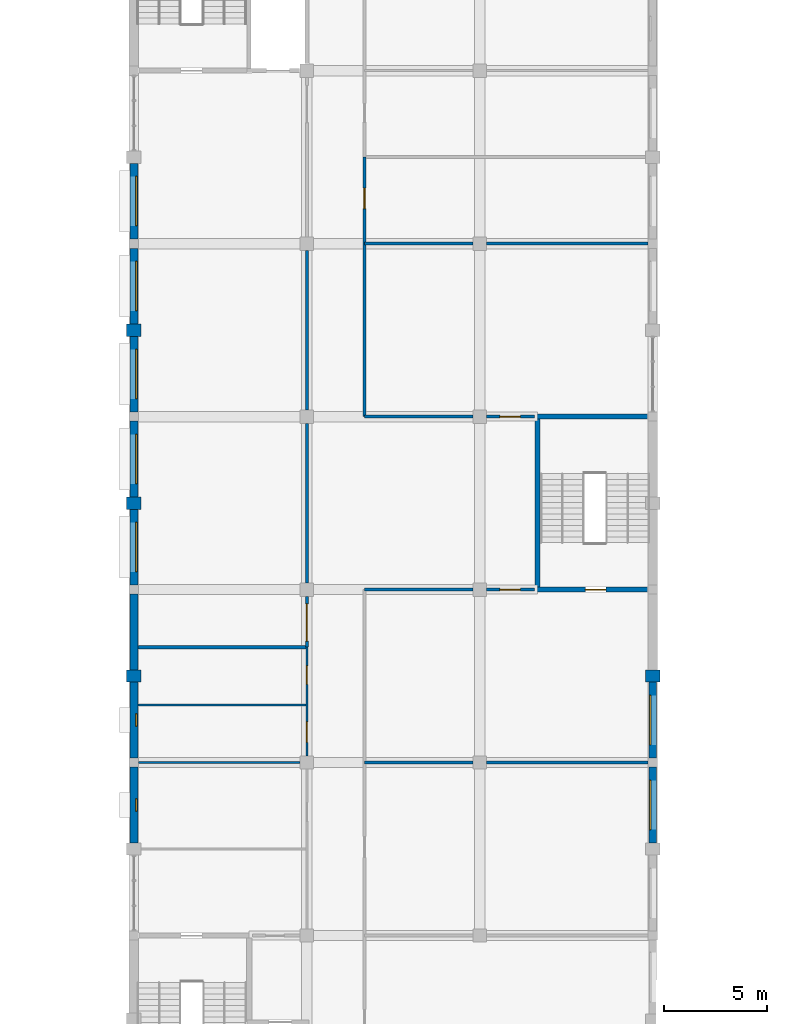
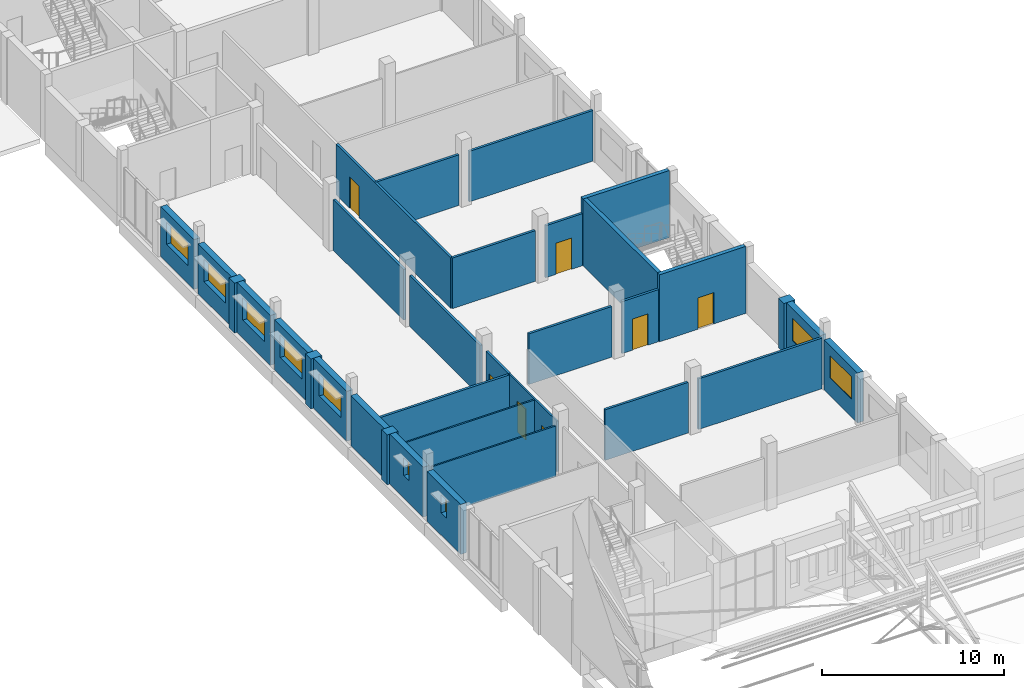
# One storey, part 77 of 101: 33 walls, 9 windows, 7 doors, 16 openings.
"""IFC4 building model written with IfcOpenShell, lengths in metres."""

from ifc_helpers import new_model, si_unit, direction, frame, frame_2d, origin, place, context, subcontext, project, spatial, rectangle, extrude, material, layer, layer_set, type_object, element, fill, save


model = new_model("IFC4")

# Units and contexts
model_context = context("Model", 3, precision=1e-05, world=origin(), true_north=direction((0.0, 1.0)))
body_context = subcontext(model_context, "Body", "Model", "MODEL_VIEW")
ifc_project = project(units=[si_unit("LENGTHUNIT", "METRE"), si_unit("AREAUNIT", "SQUARE_METRE"), si_unit("VOLUMEUNIT", "CUBIC_METRE"), si_unit("PLANEANGLEUNIT", "RADIAN"), si_unit("MASSUNIT", "GRAM", prefix="KILO")], contexts=[model_context])

# Site, building, storey
site_placement = place(None, origin())
site = spatial("IfcSite", under=ifc_project, at=site_placement, CompositionType="ELEMENT")
building_placement = place(site_placement, origin())
building = spatial("IfcBuilding", under=site, at=building_placement, Name="Fescue Hill Polytechnic", CompositionType="ELEMENT")
storey_placement = place(building_placement, frame((0.0, 0.0, 9.0)))
storey = spatial("IfcBuildingStorey", under=building, at=storey_placement, Name="L02", CompositionType="ELEMENT", Elevation=9.0)

# Wall, opening, door
ifc_material_1 = material(Name="Concrete 40 MPa", Category="concrete")
ifc_layer_1 = layer(ifc_material_1, 0.25)
ifc_layer_set_1 = layer_set([ifc_layer_1], Name="Concrete 40 MPa")
wall_type_1 = type_object("IfcWallType", Name="Core wall 250", PredefinedType="SHEAR", material=ifc_layer_set_1)
wall_1_placement = place(storey_placement, frame((19.47509765625, 75.60009765625, 0.0), z_axis=(0.0, 0.0, 1.0), x_axis=(1.0, 0.0, 0.0)))
wall_1 = element("IfcWall", 1, at=wall_1_placement, inside=storey, type_object=wall_type_1, Name="CW-L02-ST-V4-3-11", PredefinedType="SHEAR", context=body_context, shape_type="SweptSolid", body=[
    extrude(rectangle(XDim=5.474853515625, YDim=0.25, at=frame_2d((2.7373046875, 0.0))), origin(), (0.0, 0.0, 1.0), 4.5),
])
opening_1_placement = place(wall_1_placement, frame((2.449951171875, 0.0, 0.0)))
opening_1 = element("IfcOpeningElement", 2, at=opening_1_placement, cuts=wall_1, Name="Opening D2087", PredefinedType="OPENING", context=body_context, shape_type="SweptSolid", body=[
    extrude(rectangle(XDim=1.0, YDim=2.10009765625, at=frame_2d((0.5, 1.050048828125))), frame((0.0, 0.135009765625, 0.0), z_axis=(0.0, -1.0, 0.0), x_axis=(1.0, 0.0, 0.0)), (0.0, 0.0, 1.0), 0.27001953125),
])
ifc_material_2 = material(Name="Steel fire door", Category="steel")
door_type_1 = type_object("IfcDoorType", Name="Door single swing 1000x2100 stair fire rated", OperationType="NOTDEFINED", PredefinedType="DOOR", material=ifc_material_2)
door_1_placement = place(opening_1_placement, origin())
door_1 = element("IfcDoor", 3, at=door_1_placement, inside=storey, type_object=door_type_1, Name="L02 ST-V4-3 stair door", OperationType="SINGLE_SWING_LEFT", OverallHeight=2.10009765625, OverallWidth=1.0, PredefinedType="DOOR", context=body_context, shape_type="SweptSolid", body=[
    extrude(rectangle(XDim=1.0, YDim=2.10009765625, at=frame_2d((0.5, 1.050048828125))), frame((0.0, 0.02490234375, 0.0), z_axis=(0.0, -1.0, 0.0), x_axis=(1.0, 0.0, 0.0)), (0.0, 0.0, 1.0), 0.050048828125),
])
fill(opening_1, door_1)

# Walls
wall_2_placement = place(storey_placement, frame((19.47509765625, 84.0, 0.0), z_axis=(0.0, 0.0, 1.0), x_axis=(1.0, 0.0, 0.0)))
element("IfcWall", 4, at=wall_2_placement, inside=storey, type_object=wall_type_1, Name="CW-L02-ST-V4-3-21", PredefinedType="SHEAR", context=body_context, shape_type="SweptSolid", body=[
    extrude(rectangle(XDim=5.474853515625, YDim=0.25, at=frame_2d((2.7373046875, 0.0))), origin(), (0.0, 0.0, 1.0), 4.5),
])
wall_3_placement = place(storey_placement, frame((19.60009765625, 75.72509765625, 0.0), z_axis=(0.0, 0.0, 1.0), x_axis=(0.0, 1.0, 0.0)))
element("IfcWall", 5, at=wall_3_placement, inside=storey, type_object=wall_type_1, Name="CW-L02-ST-V4-3-31", PredefinedType="SHEAR", context=body_context, shape_type="SweptSolid", body=[
    extrude(rectangle(XDim=8.14990234375, YDim=0.25, at=frame_2d((4.074951171875, 0.0))), origin(), (0.0, 0.0, 1.0), 4.5),
])

# Wall, opening, window
ifc_material_3 = material(Name="Terracotta rainscreen on concrete block", Category="masonry")
ifc_layer_2 = layer(ifc_material_3, 0.3798828125)
ifc_layer_set_2 = layer_set([ifc_layer_2], Name="Terracotta rainscreen on concrete block")
wall_type_2 = type_object("IfcWallType", Name="Exterior wall rainscreen terracotta on blockwork 380", PredefinedType="SOLIDWALL", material=ifc_layer_set_2)
wall_4_placement = place(storey_placement, frame((25.199951171875, 63.300048828125, 0.0), z_axis=(0.0, 0.0, 1.0), x_axis=(0.0, 1.0, 0.0)))
wall_4 = element("IfcWall", 6, at=wall_4_placement, inside=storey, type_object=wall_type_2, Name="EW-L02-V4-4", PredefinedType="SOLIDWALL", context=body_context, shape_type="SweptSolid", body=[
    extrude(rectangle(XDim=3.675048828125, YDim=0.3798828125, at=frame_2d((1.83740234375, 0.0))), origin(), (0.0, 0.0, 1.0), 3.35009765625),
])
opening_2_placement = place(wall_4_placement, frame((0.637451171875, 0.0, 1.199951171875)))
opening_2 = element("IfcOpeningElement", 7, at=opening_2_placement, cuts=wall_4, Name="Opening W3", PredefinedType="OPENING", context=body_context, shape_type="SweptSolid", body=[
    extrude(rectangle(XDim=2.39990234375, YDim=1.5, at=frame_2d((1.199951171875, 0.75))), frame((0.0, 0.199951171875, 0.0), z_axis=(0.0, -1.0, 0.0), x_axis=(1.0, 0.0, 0.0)), (0.0, 0.0, 1.0), 0.39990234375),
])
ifc_material_4 = material(Name="Powder-coated aluminium and glass", Category="aluminium")
window_type_1 = type_object("IfcWindowType", Name="Window laboratory strip 2400x1500", PartitioningType="TRIPLE_PANEL_VERTICAL", PredefinedType="WINDOW", material=ifc_material_4)
window_1_placement = place(opening_2_placement, origin())
window_1 = element("IfcWindow", 8, at=window_1_placement, inside=storey, type_object=window_type_1, Name="WN-L02-V4-4", OverallHeight=1.5, OverallWidth=2.39990234375, PartitioningType="SINGLE_PANEL", PredefinedType="WINDOW", context=body_context, shape_type="SweptSolid", body=[
    extrude(rectangle(XDim=2.39990234375, YDim=1.5, at=frame_2d((1.199951171875, 0.75))), frame((0.0, 0.150146484375, 0.0), z_axis=(0.0, -1.0, 0.0), x_axis=(1.0, 0.0, 0.0)), (0.0, 0.0, 1.0), 0.06005859375),
])
fill(opening_2, window_1)

wall_5_placement = place(storey_placement, frame((25.199951171875, 67.425048828125, 0.0), z_axis=(0.0, 0.0, 1.0), x_axis=(0.0, 1.0, 0.0)))
wall_5 = element("IfcWall", 9, at=wall_5_placement, inside=storey, type_object=wall_type_2, Name="EW-L02-V4-5", PredefinedType="SOLIDWALL", context=body_context, shape_type="SweptSolid", body=[
    extrude(rectangle(XDim=3.675048828125, YDim=0.3798828125, at=frame_2d((1.83740234375, 0.0))), origin(), (0.0, 0.0, 1.0), 3.35009765625),
])
opening_3_placement = place(wall_5_placement, frame((0.637451171875, 0.0, 1.199951171875)))
opening_3 = element("IfcOpeningElement", 10, at=opening_3_placement, cuts=wall_5, Name="Opening W3", PredefinedType="OPENING", context=body_context, shape_type="SweptSolid", body=[
    extrude(rectangle(XDim=2.39990234375, YDim=1.5, at=frame_2d((1.199951171875, 0.75))), frame((0.0, 0.199951171875, 0.0), z_axis=(0.0, -1.0, 0.0), x_axis=(1.0, 0.0, 0.0)), (0.0, 0.0, 1.0), 0.39990234375),
])
window_2_placement = place(opening_3_placement, origin())
window_2 = element("IfcWindow", 11, at=window_2_placement, inside=storey, type_object=window_type_1, Name="WN-L02-V4-5", OverallHeight=1.5, OverallWidth=2.39990234375, PartitioningType="SINGLE_PANEL", PredefinedType="WINDOW", context=body_context, shape_type="SweptSolid", body=[
    extrude(rectangle(XDim=2.39990234375, YDim=1.5, at=frame_2d((1.199951171875, 0.75))), frame((0.0, 0.150146484375, 0.0), z_axis=(0.0, -1.0, 0.0), x_axis=(1.0, 0.0, 0.0)), (0.0, 0.0, 1.0), 0.06005859375),
])
fill(opening_3, window_2)

wall_6_placement = place(storey_placement, frame((0.0, 96.300048828125, 0.0), z_axis=(0.0, 0.0, 1.0), x_axis=(0.0, -1.0, 0.0)))
wall_6 = element("IfcWall", 12, at=wall_6_placement, inside=storey, type_object=wall_type_2, Name="EW-L02-V4-18", PredefinedType="SOLIDWALL", context=body_context, shape_type="SweptSolid", body=[
    extrude(rectangle(XDim=3.675048828125, YDim=0.3798828125, at=frame_2d((1.83740234375, 0.0))), origin(), (0.0, 0.0, 1.0), 3.35009765625),
])
opening_4_placement = place(wall_6_placement, frame((0.637451171875, 0.0, 1.199951171875)))
opening_4 = element("IfcOpeningElement", 13, at=opening_4_placement, cuts=wall_6, Name="Opening W3", PredefinedType="OPENING", context=body_context, shape_type="SweptSolid", body=[
    extrude(rectangle(XDim=2.39990234375, YDim=1.5, at=frame_2d((1.199951171875, 0.75))), frame((0.0, 0.199951171875, 0.0), z_axis=(0.0, -1.0, 0.0), x_axis=(1.0, 0.0, 0.0)), (0.0, 0.0, 1.0), 0.39990234375),
])
window_3_placement = place(opening_4_placement, origin())
window_3 = element("IfcWindow", 14, at=window_3_placement, inside=storey, type_object=window_type_1, Name="WN-L02-V4-11", OverallHeight=1.5, OverallWidth=2.39990234375, PartitioningType="SINGLE_PANEL", PredefinedType="WINDOW", context=body_context, shape_type="SweptSolid", body=[
    extrude(rectangle(XDim=2.39990234375, YDim=1.5, at=frame_2d((1.199951171875, 0.75))), frame((0.0, 0.150146484375, 0.0), z_axis=(0.0, -1.0, 0.0), x_axis=(1.0, 0.0, 0.0)), (0.0, 0.0, 1.0), 0.06005859375),
])
fill(opening_4, window_3)

wall_7_placement = place(storey_placement, frame((0.0, 92.175048828125, 0.0), z_axis=(0.0, 0.0, 1.0), x_axis=(0.0, -1.0, 0.0)))
wall_7 = element("IfcWall", 15, at=wall_7_placement, inside=storey, type_object=wall_type_2, Name="EW-L02-V4-19", PredefinedType="SOLIDWALL", context=body_context, shape_type="SweptSolid", body=[
    extrude(rectangle(XDim=3.675048828125, YDim=0.3798828125, at=frame_2d((1.83740234375, 0.0))), origin(), (0.0, 0.0, 1.0), 3.35009765625),
])
opening_5_placement = place(wall_7_placement, frame((0.637451171875, 0.0, 1.199951171875)))
opening_5 = element("IfcOpeningElement", 16, at=opening_5_placement, cuts=wall_7, Name="Opening W3", PredefinedType="OPENING", context=body_context, shape_type="SweptSolid", body=[
    extrude(rectangle(XDim=2.39990234375, YDim=1.5, at=frame_2d((1.199951171875, 0.75))), frame((0.0, 0.199951171875, 0.0), z_axis=(0.0, -1.0, 0.0), x_axis=(1.0, 0.0, 0.0)), (0.0, 0.0, 1.0), 0.39990234375),
])
window_4_placement = place(opening_5_placement, origin())
window_4 = element("IfcWindow", 17, at=window_4_placement, inside=storey, type_object=window_type_1, Name="WN-L02-V4-12", OverallHeight=1.5, OverallWidth=2.39990234375, PartitioningType="SINGLE_PANEL", PredefinedType="WINDOW", context=body_context, shape_type="SweptSolid", body=[
    extrude(rectangle(XDim=2.39990234375, YDim=1.5, at=frame_2d((1.199951171875, 0.75))), frame((0.0, 0.150146484375, 0.0), z_axis=(0.0, -1.0, 0.0), x_axis=(1.0, 0.0, 0.0)), (0.0, 0.0, 1.0), 0.06005859375),
])
fill(opening_5, window_4)

wall_8_placement = place(storey_placement, frame((0.0, 87.89990234375, 0.0), z_axis=(0.0, 0.0, 1.0), x_axis=(0.0, -1.0, 0.0)))
wall_8 = element("IfcWall", 18, at=wall_8_placement, inside=storey, type_object=wall_type_2, Name="EW-L02-V4-20", PredefinedType="SOLIDWALL", context=body_context, shape_type="SweptSolid", body=[
    extrude(rectangle(XDim=3.6748046875, YDim=0.3798828125, at=frame_2d((1.83740234375, 0.0))), origin(), (0.0, 0.0, 1.0), 3.35009765625),
])
opening_6_placement = place(wall_8_placement, frame((0.637451171875, 0.0, 1.199951171875)))
opening_6 = element("IfcOpeningElement", 19, at=opening_6_placement, cuts=wall_8, Name="Opening W3", PredefinedType="OPENING", context=body_context, shape_type="SweptSolid", body=[
    extrude(rectangle(XDim=2.39990234375, YDim=1.5, at=frame_2d((1.199951171875, 0.75))), frame((0.0, 0.199951171875, 0.0), z_axis=(0.0, -1.0, 0.0), x_axis=(1.0, 0.0, 0.0)), (0.0, 0.0, 1.0), 0.39990234375),
])
window_5_placement = place(opening_6_placement, origin())
window_5 = element("IfcWindow", 20, at=window_5_placement, inside=storey, type_object=window_type_1, Name="WN-L02-V4-13", OverallHeight=1.5, OverallWidth=2.39990234375, PartitioningType="SINGLE_PANEL", PredefinedType="WINDOW", context=body_context, shape_type="SweptSolid", body=[
    extrude(rectangle(XDim=2.39990234375, YDim=1.5, at=frame_2d((1.199951171875, 0.75))), frame((0.0, 0.150146484375, 0.0), z_axis=(0.0, -1.0, 0.0), x_axis=(1.0, 0.0, 0.0)), (0.0, 0.0, 1.0), 0.06005859375),
])
fill(opening_6, window_5)

wall_9_placement = place(storey_placement, frame((0.0, 83.77490234375, 0.0), z_axis=(0.0, 0.0, 1.0), x_axis=(0.0, -1.0, 0.0)))
wall_9 = element("IfcWall", 21, at=wall_9_placement, inside=storey, type_object=wall_type_2, Name="EW-L02-V4-21", PredefinedType="SOLIDWALL", context=body_context, shape_type="SweptSolid", body=[
    extrude(rectangle(XDim=3.6748046875, YDim=0.3798828125, at=frame_2d((1.83740234375, 0.0))), origin(), (0.0, 0.0, 1.0), 3.35009765625),
])
opening_7_placement = place(wall_9_placement, frame((0.637451171875, 0.0, 1.199951171875)))
opening_7 = element("IfcOpeningElement", 22, at=opening_7_placement, cuts=wall_9, Name="Opening W3", PredefinedType="OPENING", context=body_context, shape_type="SweptSolid", body=[
    extrude(rectangle(XDim=2.39990234375, YDim=1.5, at=frame_2d((1.199951171875, 0.75))), frame((0.0, 0.199951171875, 0.0), z_axis=(0.0, -1.0, 0.0), x_axis=(1.0, 0.0, 0.0)), (0.0, 0.0, 1.0), 0.39990234375),
])
window_6_placement = place(opening_7_placement, origin())
window_6 = element("IfcWindow", 23, at=window_6_placement, inside=storey, type_object=window_type_1, Name="WN-L02-V4-14", OverallHeight=1.5, OverallWidth=2.39990234375, PartitioningType="SINGLE_PANEL", PredefinedType="WINDOW", context=body_context, shape_type="SweptSolid", body=[
    extrude(rectangle(XDim=2.39990234375, YDim=1.5, at=frame_2d((1.199951171875, 0.75))), frame((0.0, 0.150146484375, 0.0), z_axis=(0.0, -1.0, 0.0), x_axis=(1.0, 0.0, 0.0)), (0.0, 0.0, 1.0), 0.06005859375),
])
fill(opening_7, window_6)

wall_10_placement = place(storey_placement, frame((0.0, 79.5, 0.0), z_axis=(0.0, 0.0, 1.0), x_axis=(0.0, -1.0, 0.0)))
wall_10 = element("IfcWall", 24, at=wall_10_placement, inside=storey, type_object=wall_type_2, Name="EW-L02-V4-22", PredefinedType="SOLIDWALL", context=body_context, shape_type="SweptSolid", body=[
    extrude(rectangle(XDim=3.675048828125, YDim=0.3798828125, at=frame_2d((1.83740234375, 0.0))), origin(), (0.0, 0.0, 1.0), 3.35009765625),
])
opening_8_placement = place(wall_10_placement, frame((0.637451171875, 0.0, 1.199951171875)))
opening_8 = element("IfcOpeningElement", 25, at=opening_8_placement, cuts=wall_10, Name="Opening W3", PredefinedType="OPENING", context=body_context, shape_type="SweptSolid", body=[
    extrude(rectangle(XDim=2.39990234375, YDim=1.5, at=frame_2d((1.199951171875, 0.75))), frame((0.0, 0.199951171875, 0.0), z_axis=(0.0, -1.0, 0.0), x_axis=(1.0, 0.0, 0.0)), (0.0, 0.0, 1.0), 0.39990234375),
])
window_7_placement = place(opening_8_placement, origin())
window_7 = element("IfcWindow", 26, at=window_7_placement, inside=storey, type_object=window_type_1, Name="WN-L02-V4-15", OverallHeight=1.5, OverallWidth=2.39990234375, PartitioningType="SINGLE_PANEL", PredefinedType="WINDOW", context=body_context, shape_type="SweptSolid", body=[
    extrude(rectangle(XDim=2.39990234375, YDim=1.5, at=frame_2d((1.199951171875, 0.75))), frame((0.0, 0.150146484375, 0.0), z_axis=(0.0, -1.0, 0.0), x_axis=(1.0, 0.0, 0.0)), (0.0, 0.0, 1.0), 0.06005859375),
])
fill(opening_8, window_7)

# Wall
wall_11_placement = place(storey_placement, frame((0.0, 75.375, 0.0), z_axis=(0.0, 0.0, 1.0), x_axis=(0.0, -1.0, 0.0)))
element("IfcWall", 27, at=wall_11_placement, inside=storey, type_object=wall_type_2, Name="EW-L02-V4-23", PredefinedType="SOLIDWALL", context=body_context, shape_type="SweptSolid", body=[
    extrude(rectangle(XDim=3.675048828125, YDim=0.3798828125, at=frame_2d((1.83740234375, 0.0))), origin(), (0.0, 0.0, 1.0), 3.35009765625),
])

# Wall, opening, window
wall_12_placement = place(storey_placement, frame((0.0, 71.10009765625, 0.0), z_axis=(0.0, 0.0, 1.0), x_axis=(0.0, -1.0, 0.0)))
wall_12 = element("IfcWall", 28, at=wall_12_placement, inside=storey, type_object=wall_type_2, Name="EW-L02-V4-24", PredefinedType="SOLIDWALL", context=body_context, shape_type="SweptSolid", body=[
    extrude(rectangle(XDim=3.675048828125, YDim=0.3798828125, at=frame_2d((1.83740234375, 0.0))), origin(), (0.0, 0.0, 1.0), 3.35009765625),
])
opening_9_placement = place(wall_12_placement, frame((1.53759765625, 0.0, 1.5)))
opening_9 = element("IfcOpeningElement", 29, at=opening_9_placement, cuts=wall_12, Name="Opening W11", PredefinedType="OPENING", context=body_context, shape_type="SweptSolid", body=[
    extrude(rectangle(XDim=0.60009765625, YDim=1.199951171875, at=frame_2d((0.300048828125, 0.60009765625))), frame((0.0, 0.199951171875, 0.0), z_axis=(0.0, -1.0, 0.0), x_axis=(1.0, 0.0, 0.0)), (0.0, 0.0, 1.0), 0.39990234375),
])
window_type_2 = type_object("IfcWindowType", Name="Window WC high-level 600x1200", PartitioningType="SINGLE_PANEL", PredefinedType="WINDOW", material=ifc_material_4)
window_8_placement = place(opening_9_placement, origin())
window_8 = element("IfcWindow", 30, at=window_8_placement, inside=storey, type_object=window_type_2, Name="WN-L02-V4-16", OverallHeight=1.199951171875, OverallWidth=0.60009765625, PartitioningType="SINGLE_PANEL", PredefinedType="WINDOW", context=body_context, shape_type="SweptSolid", body=[
    extrude(rectangle(XDim=0.60009765625, YDim=1.199951171875, at=frame_2d((0.300048828125, 0.60009765625))), frame((0.0, 0.150146484375, 0.0), z_axis=(0.0, -1.0, 0.0), x_axis=(1.0, 0.0, 0.0)), (0.0, 0.0, 1.0), 0.06005859375),
])
fill(opening_9, window_8)

wall_13_placement = place(storey_placement, frame((0.0, 66.97509765625, 0.0), z_axis=(0.0, 0.0, 1.0), x_axis=(0.0, -1.0, 0.0)))
wall_13 = element("IfcWall", 31, at=wall_13_placement, inside=storey, type_object=wall_type_2, Name="EW-L02-V4-25", PredefinedType="SOLIDWALL", context=body_context, shape_type="SweptSolid", body=[
    extrude(rectangle(XDim=3.675048828125, YDim=0.3798828125, at=frame_2d((1.83740234375, 0.0))), origin(), (0.0, 0.0, 1.0), 3.35009765625),
])
opening_10_placement = place(wall_13_placement, frame((1.53759765625, 0.0, 1.5)))
opening_10 = element("IfcOpeningElement", 32, at=opening_10_placement, cuts=wall_13, Name="Opening W11", PredefinedType="OPENING", context=body_context, shape_type="SweptSolid", body=[
    extrude(rectangle(XDim=0.60009765625, YDim=1.199951171875, at=frame_2d((0.300048828125, 0.60009765625))), frame((0.0, 0.199951171875, 0.0), z_axis=(0.0, -1.0, 0.0), x_axis=(1.0, 0.0, 0.0)), (0.0, 0.0, 1.0), 0.39990234375),
])
window_9_placement = place(opening_10_placement, origin())
window_9 = element("IfcWindow", 33, at=window_9_placement, inside=storey, type_object=window_type_2, Name="WN-L02-V4-17", OverallHeight=1.199951171875, OverallWidth=0.60009765625, PartitioningType="SINGLE_PANEL", PredefinedType="WINDOW", context=body_context, shape_type="SweptSolid", body=[
    extrude(rectangle(XDim=0.60009765625, YDim=1.199951171875, at=frame_2d((0.300048828125, 0.60009765625))), frame((0.0, 0.150146484375, 0.0), z_axis=(0.0, -1.0, 0.0), x_axis=(1.0, 0.0, 0.0)), (0.0, 0.0, 1.0), 0.06005859375),
])
fill(opening_10, window_9)

# Walls
ifc_layer_3 = layer(ifc_material_1, 0.699951171875)
ifc_layer_set_3 = layer_set([ifc_layer_3], Name="Concrete 40 MPa")
wall_type_3 = type_object("IfcWallType", Name="Fin wall board-marked 600x700", PredefinedType="SOLIDWALL", material=ifc_layer_set_3)
wall_14_placement = place(storey_placement, frame((25.199951171875, 71.10009765625, 0.0), z_axis=(0.0, 0.0, 1.0), x_axis=(0.0, 1.0, 0.0)))
element("IfcWall", 34, at=wall_14_placement, inside=storey, type_object=wall_type_3, Name="PR-L02-V4-3", PredefinedType="SOLIDWALL", context=body_context, shape_type="SweptSolid", body=[
    extrude(rectangle(XDim=0.599853515625, YDim=0.699951171875, at=frame_2d((0.2998046875, 0.0))), origin(), (0.0, 0.0, 1.0), 3.35009765625),
])
for number, where, z_axis, x_axis, name in (
    (35, (0.0, 88.5, 0.0), (0.0, 0.0, 1.0), (0.0, -1.0, 0.0), "PR-L02-V4-10"),
    (36, (0.0, 80.10009765625, 0.0), (0.0, 0.0, 1.0), (0.0, -1.0, 0.0), "PR-L02-V4-11"),
):
    element("IfcWall", number, at=place(storey_placement, frame(where, z_axis=z_axis, x_axis=x_axis)), inside=storey, type_object=wall_type_3, Name=name, PredefinedType="SOLIDWALL", context=body_context, shape_type="SweptSolid", body=[
        extrude(rectangle(XDim=0.60009765625, YDim=0.699951171875, at=frame_2d((0.300048828125, 0.0))), origin(), (0.0, 0.0, 1.0), 3.35009765625),
    ])
wall_15_placement = place(storey_placement, frame((0.0, 71.699951171875, 0.0), z_axis=(0.0, 0.0, 1.0), x_axis=(0.0, -1.0, 0.0)))
element("IfcWall", 37, at=wall_15_placement, inside=storey, type_object=wall_type_3, Name="PR-L02-V4-12", PredefinedType="SOLIDWALL", context=body_context, shape_type="SweptSolid", body=[
    extrude(rectangle(XDim=0.599853515625, YDim=0.699951171875, at=frame_2d((0.2998046875, 0.0))), origin(), (0.0, 0.0, 1.0), 3.35009765625),
])
ifc_material_5 = material(Name="Concrete masonry block 15 MPa", Category="masonry")
ifc_layer_4 = layer(ifc_material_5, 0.14990234375)
ifc_layer_set_4 = layer_set([ifc_layer_4], Name="Concrete masonry block 15 MPa")
wall_type_4 = type_object("IfcWallType", Name="Laboratory wall 150 block EI 60", PredefinedType="PARTITIONING", material=ifc_layer_set_4)
wall_16_placement = place(storey_placement, frame((11.199951171875, 67.199951171875, 0.0), z_axis=(0.0, 0.0, 1.0), x_axis=(1.0, 0.0, 0.0)))
element("IfcWall", 38, at=wall_16_placement, inside=storey, type_object=wall_type_4, Name="IW-L02-033", PredefinedType="PARTITIONING", context=body_context, shape_type="SweptSolid", body=[
    extrude(rectangle(XDim=5.275146484375, YDim=0.14990234375, at=frame_2d((2.6376953125, 0.0))), origin(), (0.0, 0.0, 1.0), 3.39990234375),
])
wall_17_placement = place(storey_placement, frame((17.125, 67.199951171875, 0.0), z_axis=(0.0, 0.0, 1.0), x_axis=(1.0, 0.0, 0.0)))
element("IfcWall", 39, at=wall_17_placement, inside=storey, type_object=wall_type_4, Name="IW-L02-034", PredefinedType="PARTITIONING", context=body_context, shape_type="SweptSolid", body=[
    extrude(rectangle(XDim=7.85009765625, YDim=0.14990234375, at=frame_2d((3.925048828125, 0.0))), origin(), (0.0, 0.0, 1.0), 3.39990234375),
])
wall_18_placement = place(storey_placement, frame((0.18994140625, 72.800048828125, 0.0), z_axis=(0.0, 0.0, 1.0), x_axis=(1.0, 0.0, 0.0)))
element("IfcWall", 40, at=wall_18_placement, inside=storey, type_object=wall_type_4, Name="IW-L02-037", PredefinedType="PARTITIONING", context=body_context, shape_type="SweptSolid", body=[
    extrude(rectangle(XDim=8.2099609375, YDim=0.14990234375, at=frame_2d((4.10498046875, 0.0))), origin(), (0.0, 0.0, 1.0), 3.35009765625),
])
wall_19_placement = place(storey_placement, frame((11.199951171875, 92.39990234375, 0.0), z_axis=(0.0, 0.0, 1.0), x_axis=(1.0, 0.0, 0.0)))
element("IfcWall", 41, at=wall_19_placement, inside=storey, type_object=wall_type_4, Name="IW-L02-042", PredefinedType="PARTITIONING", context=body_context, shape_type="SweptSolid", body=[
    extrude(rectangle(XDim=5.275146484375, YDim=0.14990234375, at=frame_2d((2.6376953125, 0.0))), origin(), (0.0, 0.0, 1.0), 3.39990234375),
])
wall_20_placement = place(storey_placement, frame((17.125, 92.39990234375, 0.0), z_axis=(0.0, 0.0, 1.0), x_axis=(1.0, 0.0, 0.0)))
element("IfcWall", 42, at=wall_20_placement, inside=storey, type_object=wall_type_4, Name="IW-L02-043", PredefinedType="PARTITIONING", context=body_context, shape_type="SweptSolid", body=[
    extrude(rectangle(XDim=7.85009765625, YDim=0.14990234375, at=frame_2d((3.925048828125, 0.0))), origin(), (0.0, 0.0, 1.0), 3.39990234375),
])

# Wall, opening, door
wall_21_placement = place(storey_placement, frame((8.39990234375, 72.800048828125, 0.0), z_axis=(0.0, 0.0, 1.0), x_axis=(0.0, 1.0, 0.0)))
wall_21 = element("IfcWall", 43, at=wall_21_placement, inside=storey, type_object=wall_type_4, Name="IW-L02-076", PredefinedType="PARTITIONING", context=body_context, shape_type="SweptSolid", body=[
    extrude(rectangle(XDim=2.474853515625, YDim=0.14990234375, at=frame_2d((1.2373046875, 0.0))), origin(), (0.0, 0.0, 1.0), 3.39990234375),
])
opening_11_placement = place(wall_21_placement, frame((0.300048828125, 0.0, 0.0)))
opening_11 = element("IfcOpeningElement", 44, at=opening_11_placement, cuts=wall_21, Name="Opening D2040", PredefinedType="OPENING", context=body_context, shape_type="SweptSolid", body=[
    extrude(rectangle(XDim=1.800048828125, YDim=2.10009765625, at=frame_2d((0.89990234375, 1.050048828125))), frame((0.0, 0.0849609375, 0.0), z_axis=(0.0, -1.0, 0.0), x_axis=(1.0, 0.0, 0.0)), (0.0, 0.0, 1.0), 0.169921875),
])
ifc_material_6 = material(Name="Steel", Category="steel")
door_type_2 = type_object("IfcDoorType", Name="Door double swing 1800x2100 FD60", OperationType="DOUBLE_DOOR_SINGLE_SWING", PredefinedType="DOOR", material=ifc_material_6)
door_2_placement = place(opening_11_placement, origin())
door_2 = element("IfcDoor", 45, at=door_2_placement, inside=storey, type_object=door_type_2, Name="Door D2040", OperationType="DOUBLE_DOOR_SINGLE_SWING", OverallHeight=2.10009765625, OverallWidth=1.800048828125, PredefinedType="DOOR", context=body_context, shape_type="SweptSolid", body=[
    extrude(rectangle(XDim=1.800048828125, YDim=2.10009765625, at=frame_2d((0.89990234375, 1.050048828125))), frame((0.0, 0.02490234375, 0.0), z_axis=(0.0, -1.0, 0.0), x_axis=(1.0, 0.0, 0.0)), (0.0, 0.0, 1.0), 0.050048828125),
])
fill(opening_11, door_2)

# Walls
for number, where, z_axis, x_axis, name in (
    (46, (8.39990234375, 75.925048828125, 0.0), (0.0, 0.0, 1.0), (0.0, 1.0, 0.0), "IW-L02-077"),
    (47, (8.39990234375, 84.324951171875, 0.0), (0.0, 0.0, 1.0), (0.0, 1.0, 0.0), "IW-L02-078"),
):
    element("IfcWall", number, at=place(storey_placement, frame(where, z_axis=z_axis, x_axis=x_axis)), inside=storey, type_object=wall_type_4, Name=name, PredefinedType="PARTITIONING", context=body_context, shape_type="SweptSolid", body=[
        extrude(rectangle(XDim=7.75, YDim=0.14990234375, at=frame_2d((3.875, 0.0))), origin(), (0.0, 0.0, 1.0), 3.39990234375),
    ])

# Wall, opening, door
wall_22_placement = place(storey_placement, frame((11.199951171875, 84.0, 0.0), z_axis=(0.0, 0.0, 1.0), x_axis=(0.0, 1.0, 0.0)))
wall_22 = element("IfcWall", 48, at=wall_22_placement, inside=storey, type_object=wall_type_4, Name="IW-L02-087", PredefinedType="PARTITIONING", context=body_context, shape_type="SweptSolid", body=[
    extrude(rectangle(XDim=12.60009765625, YDim=0.14990234375, at=frame_2d((6.300048828125, 0.0))), origin(), (0.0, 0.0, 1.0), 3.39990234375),
])
opening_12_placement = place(wall_22_placement, frame((10.10009765625, 0.0, 0.0)))
opening_12 = element("IfcOpeningElement", 49, at=opening_12_placement, cuts=wall_22, Name="Opening D2046", PredefinedType="OPENING", context=body_context, shape_type="SweptSolid", body=[
    extrude(rectangle(XDim=1.0, YDim=2.10009765625, at=frame_2d((0.5, 1.050048828125))), frame((0.0, 0.0849609375, 0.0), z_axis=(0.0, -1.0, 0.0), x_axis=(1.0, 0.0, 0.0)), (0.0, 0.0, 1.0), 0.169921875),
])
door_type_3 = type_object("IfcDoorType", Name="Door single swing 1000x2100 FD60", OperationType="SINGLE_SWING_LEFT", PredefinedType="DOOR", material=ifc_material_6)
door_3_placement = place(opening_12_placement, origin())
door_3 = element("IfcDoor", 50, at=door_3_placement, inside=storey, type_object=door_type_3, Name="Door D2046", OperationType="SINGLE_SWING_RIGHT", OverallHeight=2.10009765625, OverallWidth=1.0, PredefinedType="DOOR", context=body_context, shape_type="SweptSolid", body=[
    extrude(rectangle(XDim=1.0, YDim=2.10009765625, at=frame_2d((0.5, 1.050048828125))), frame((0.0, 0.02490234375, 0.0), z_axis=(0.0, -1.0, 0.0), x_axis=(1.0, 0.0, 0.0)), (0.0, 0.0, 1.0), 0.050048828125),
])
fill(opening_12, door_3)

# Wall
ifc_material_7 = material(Name="Gypsum board partition")
ifc_layer_5 = layer(ifc_material_7, 0.14990234375)
ifc_layer_set_5 = layer_set([ifc_layer_5], Name="Gypsum board partition")
wall_type_5 = type_object("IfcWallType", Name="Lobby wall 150 EI 60", PredefinedType="PARTITIONING", material=ifc_layer_set_5)
wall_23_placement = place(storey_placement, frame((11.199951171875, 75.60009765625, 0.0), z_axis=(0.0, 0.0, 1.0), x_axis=(1.0, 0.0, 0.0)))
element("IfcWall", 51, at=wall_23_placement, inside=storey, type_object=wall_type_5, Name="IW-L02-038", PredefinedType="PARTITIONING", context=body_context, shape_type="SweptSolid", body=[
    extrude(rectangle(XDim=5.275146484375, YDim=0.14990234375, at=frame_2d((2.6376953125, 0.0))), origin(), (0.0, 0.0, 1.0), 3.39990234375),
])

# Wall, opening, door
wall_24_placement = place(storey_placement, frame((17.125, 75.60009765625, 0.0), z_axis=(0.0, 0.0, 1.0), x_axis=(1.0, 0.0, 0.0)))
wall_24 = element("IfcWall", 52, at=wall_24_placement, inside=storey, type_object=wall_type_5, Name="IW-L02-039", PredefinedType="PARTITIONING", context=body_context, shape_type="SweptSolid", body=[
    extrude(rectangle(XDim=2.324951171875, YDim=0.14990234375, at=frame_2d((1.16259765625, 0.0))), origin(), (0.0, 0.0, 1.0), 3.5),
])
opening_13_placement = place(wall_24_placement, frame((0.64990234375, 0.0, 0.0)))
opening_13 = element("IfcOpeningElement", 53, at=opening_13_placement, cuts=wall_24, Name="Opening D2044", PredefinedType="OPENING", context=body_context, shape_type="SweptSolid", body=[
    extrude(rectangle(XDim=1.0, YDim=2.10009765625, at=frame_2d((0.5, 1.050048828125))), frame((0.0, 0.0849609375, 0.0), z_axis=(0.0, -1.0, 0.0), x_axis=(1.0, 0.0, 0.0)), (0.0, 0.0, 1.0), 0.169921875),
])
door_4_placement = place(opening_13_placement, origin())
door_4 = element("IfcDoor", 54, at=door_4_placement, inside=storey, type_object=door_type_3, Name="Door D2044", OperationType="SINGLE_SWING_LEFT", OverallHeight=2.10009765625, OverallWidth=1.0, PredefinedType="DOOR", context=body_context, shape_type="SweptSolid", body=[
    extrude(rectangle(XDim=1.0, YDim=2.10009765625, at=frame_2d((0.5, 1.050048828125))), frame((0.0, 0.02490234375, 0.0), z_axis=(0.0, -1.0, 0.0), x_axis=(1.0, 0.0, 0.0)), (0.0, 0.0, 1.0), 0.050048828125),
])
fill(opening_13, door_4)

# Wall
wall_25_placement = place(storey_placement, frame((11.199951171875, 84.0, 0.0), z_axis=(0.0, 0.0, 1.0), x_axis=(1.0, 0.0, 0.0)))
element("IfcWall", 55, at=wall_25_placement, inside=storey, type_object=wall_type_5, Name="IW-L02-040", PredefinedType="PARTITIONING", context=body_context, shape_type="SweptSolid", body=[
    extrude(rectangle(XDim=5.275146484375, YDim=0.14990234375, at=frame_2d((2.6376953125, 0.0))), origin(), (0.0, 0.0, 1.0), 3.39990234375),
])

# Wall, opening, door
wall_26_placement = place(storey_placement, frame((17.125, 84.0, 0.0), z_axis=(0.0, 0.0, 1.0), x_axis=(1.0, 0.0, 0.0)))
wall_26 = element("IfcWall", 56, at=wall_26_placement, inside=storey, type_object=wall_type_5, Name="IW-L02-041", PredefinedType="PARTITIONING", context=body_context, shape_type="SweptSolid", body=[
    extrude(rectangle(XDim=2.324951171875, YDim=0.14990234375, at=frame_2d((1.16259765625, 0.0))), origin(), (0.0, 0.0, 1.0), 3.5),
])
opening_14_placement = place(wall_26_placement, frame((0.64990234375, 0.0, 0.0)))
opening_14 = element("IfcOpeningElement", 57, at=opening_14_placement, cuts=wall_26, Name="Opening D2045", PredefinedType="OPENING", context=body_context, shape_type="SweptSolid", body=[
    extrude(rectangle(XDim=1.0, YDim=2.10009765625, at=frame_2d((0.5, 1.050048828125))), frame((0.0, 0.0849609375, 0.0), z_axis=(0.0, -1.0, 0.0), x_axis=(1.0, 0.0, 0.0)), (0.0, 0.0, 1.0), 0.169921875),
])
door_5_placement = place(opening_14_placement, origin())
door_5 = element("IfcDoor", 58, at=door_5_placement, inside=storey, type_object=door_type_3, Name="Door D2045", OperationType="SINGLE_SWING_LEFT", OverallHeight=2.10009765625, OverallWidth=1.0, PredefinedType="DOOR", context=body_context, shape_type="SweptSolid", body=[
    extrude(rectangle(XDim=1.0, YDim=2.10009765625, at=frame_2d((0.5, 1.050048828125))), frame((0.0, 0.02490234375, 0.0), z_axis=(0.0, -1.0, 0.0), x_axis=(1.0, 0.0, 0.0)), (0.0, 0.0, 1.0), 0.050048828125),
])
fill(opening_14, door_5)

# Walls
ifc_layer_6 = layer(ifc_material_7, 0.10009765625)
ifc_layer_set_6 = layer_set([ifc_layer_6], Name="Gypsum board partition")
wall_type_6 = type_object("IfcWallType", Name="WC partition 100 moisture resistant", PredefinedType="PARTITIONING", material=ifc_layer_set_6)
wall_27_placement = place(storey_placement, frame((0.22509765625, 67.199951171875, 0.0), z_axis=(0.0, 0.0, 1.0), x_axis=(1.0, 0.0, 0.0)))
element("IfcWall", 59, at=wall_27_placement, inside=storey, type_object=wall_type_6, Name="IW-L02-035", PredefinedType="PARTITIONING", context=body_context, shape_type="SweptSolid", body=[
    extrude(rectangle(XDim=7.849853515625, YDim=0.10009765625, at=frame_2d((3.9248046875, 0.0))), origin(), (0.0, 0.0, 1.0), 3.39990234375),
])
wall_28_placement = place(storey_placement, frame((0.18994140625, 70.0, 0.0), z_axis=(0.0, 0.0, 1.0), x_axis=(1.0, 0.0, 0.0)))
element("IfcWall", 60, at=wall_28_placement, inside=storey, type_object=wall_type_6, Name="IW-L02-036", PredefinedType="PARTITIONING", context=body_context, shape_type="SweptSolid", body=[
    extrude(rectangle(XDim=8.2099609375, YDim=0.10009765625, at=frame_2d((4.10498046875, 0.0))), origin(), (0.0, 0.0, 1.0), 3.35009765625),
])

# Wall, openings, doors
wall_29_placement = place(storey_placement, frame((8.39990234375, 67.52490234375, 0.0), z_axis=(0.0, 0.0, 1.0), x_axis=(0.0, 1.0, 0.0)))
wall_29 = element("IfcWall", 61, at=wall_29_placement, inside=storey, type_object=wall_type_6, Name="IW-L02-083", PredefinedType="PARTITIONING", context=body_context, shape_type="SweptSolid", body=[
    extrude(rectangle(XDim=5.275146484375, YDim=0.10009765625, at=frame_2d((2.6376953125, 0.0))), origin(), (0.0, 0.0, 1.0), 3.39990234375),
])
opening_15_placement = place(wall_29_placement, frame((0.64990234375, 0.0, 0.0)))
opening_15 = element("IfcOpeningElement", 62, at=opening_15_placement, cuts=wall_29, Name="Opening D2038", PredefinedType="OPENING", context=body_context, shape_type="SweptSolid", body=[
    extrude(rectangle(XDim=1.0, YDim=2.10009765625, at=frame_2d((0.5, 1.050048828125))), frame((0.0, 0.06005859375, 0.0), z_axis=(0.0, -1.0, 0.0), x_axis=(1.0, 0.0, 0.0)), (0.0, 0.0, 1.0), 0.1201171875),
])
opening_16_placement = place(wall_29_placement, frame((3.47509765625, 0.0, 0.0)))
opening_16 = element("IfcOpeningElement", 63, at=opening_16_placement, cuts=wall_29, Name="Opening D2039", PredefinedType="OPENING", context=body_context, shape_type="SweptSolid", body=[
    extrude(rectangle(XDim=0.89990234375, YDim=2.10009765625, at=frame_2d((0.449951171875, 1.050048828125))), frame((0.0, 0.06005859375, 0.0), z_axis=(0.0, -1.0, 0.0), x_axis=(1.0, 0.0, 0.0)), (0.0, 0.0, 1.0), 0.1201171875),
])
ifc_material_8 = material(Name="Timber", Category="wood")
door_type_4 = type_object("IfcDoorType", Name="Door single swing 1000x2100 accessible WC", OperationType="SINGLE_SWING_LEFT", PredefinedType="DOOR", material=ifc_material_8)
door_6_placement = place(opening_15_placement, origin())
door_6 = element("IfcDoor", 64, at=door_6_placement, inside=storey, type_object=door_type_4, Name="Door D2038", OperationType="SINGLE_SWING_LEFT", OverallHeight=2.10009765625, OverallWidth=1.0, PredefinedType="DOOR", context=body_context, shape_type="SweptSolid", body=[
    extrude(rectangle(XDim=1.0, YDim=2.10009765625, at=frame_2d((0.5, 1.050048828125))), frame((0.0, 0.02490234375, 0.0), z_axis=(0.0, -1.0, 0.0), x_axis=(1.0, 0.0, 0.0)), (0.0, 0.0, 1.0), 0.050048828125),
])
fill(opening_15, door_6)
door_type_5 = type_object("IfcDoorType", Name="Door single swing 900x2100 store", OperationType="SINGLE_SWING_LEFT", PredefinedType="DOOR", material=ifc_material_8)
door_7_placement = place(opening_16_placement, origin())
door_7 = element("IfcDoor", 65, at=door_7_placement, inside=storey, type_object=door_type_5, Name="Door D2039", OperationType="SINGLE_SWING_RIGHT", OverallHeight=2.10009765625, OverallWidth=0.89990234375, PredefinedType="DOOR", context=body_context, shape_type="SweptSolid", body=[
    extrude(rectangle(XDim=0.89990234375, YDim=2.10009765625, at=frame_2d((0.449951171875, 1.050048828125))), frame((0.0, 0.02490234375, 0.0), z_axis=(0.0, -1.0, 0.0), x_axis=(1.0, 0.0, 0.0)), (0.0, 0.0, 1.0), 0.050048828125),
])
fill(opening_16, door_7)

save(model, "model.ifc")
